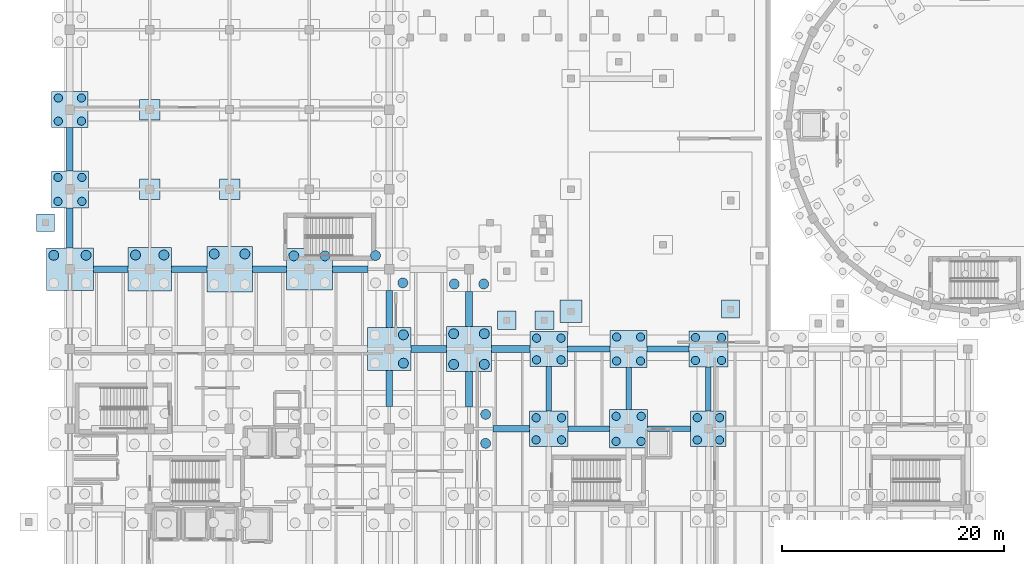
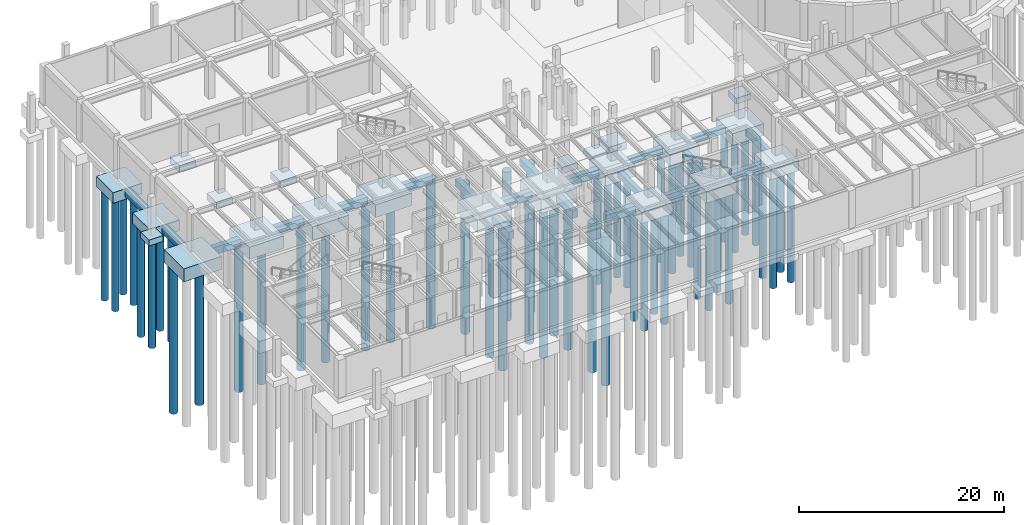
# One storey, part 3 of 26: 52 piles, 42 footings.
"""IFC4 building model written with IfcOpenShell, lengths in metres."""

from ifc_helpers import new_model, si_unit, direction, frame, origin, origin_2d, place, context, subcontext, project, spatial, rectangle, circle, extrude, material, material_profile, profile_set, type_object, element, save


model = new_model("IFC4")

# Units and contexts
model_context = context("Model", 3, precision=1e-05, world=origin(), true_north=direction((0.0, 1.0)))
body_context = subcontext(model_context, "Body", "Model", "MODEL_VIEW")
ifc_project = project(units=[si_unit("LENGTHUNIT", "METRE"), si_unit("AREAUNIT", "SQUARE_METRE"), si_unit("VOLUMEUNIT", "CUBIC_METRE"), si_unit("PLANEANGLEUNIT", "RADIAN"), si_unit("MASSUNIT", "GRAM", prefix="KILO")], contexts=[model_context])

# Site, building, storey
site_placement = place(None, origin())
site = spatial("IfcSite", under=ifc_project, at=site_placement, CompositionType="ELEMENT")
building_placement = place(site_placement, origin())
building = spatial("IfcBuilding", under=site, at=building_placement, Name="Kandorven Conservatory and Botanical Research Centre", CompositionType="ELEMENT")
storey_placement = place(building_placement, frame((0.0, 0.0, -4.800048828125)))
storey = spatial("IfcBuildingStorey", under=building, at=storey_placement, Name="B01", CompositionType="ELEMENT", Elevation=-4.800048828125)

# Footings
ifc_material_1 = material(Name="Concrete C32/40 (M40)", Category="concrete")
ifc_material_profile_1 = material_profile(ifc_material_1, rectangle(XDim=0.60009765625, YDim=0.89990234375, at=origin_2d()))
ifc_profile_set_1 = profile_set([ifc_material_profile_1], Name="Concrete C32/40 (M40)")
footing_type_1 = type_object("IfcFootingType", Name="GroundBeam_GB-01", PredefinedType="FOOTING_BEAM", material=ifc_profile_set_1)
footing_1_placement = place(storey_placement, frame((8.125, 34.800048828125, -0.949951171875), z_axis=(1.0, 0.0, 0.0), x_axis=(0.0, 1.0, 0.0)))
element("IfcFooting", 1, at=footing_1_placement, inside=storey, type_object=footing_type_1, Name="Ground tie beam GB-01 X-009", PredefinedType="FOOTING_BEAM", context=body_context, shape_type="SweptSolid", body=[
    extrude(rectangle(XDim=0.60009765625, YDim=0.89990234375, at=origin_2d()), origin(), (0.0, 0.0, 1.0), 3.125),
])
footing_2_placement = place(storey_placement, frame((6.0, 36.72509765625, -0.949951171875), z_axis=(0.0, 1.0, 0.0), x_axis=(-1.0, 0.0, 0.0)))
element("IfcFooting", 2, at=footing_2_placement, inside=storey, type_object=footing_type_1, Name="Ground tie beam GB-01 Y-010", PredefinedType="FOOTING_BEAM", context=body_context, shape_type="SweptSolid", body=[
    extrude(rectangle(XDim=0.60009765625, YDim=0.89990234375, at=origin_2d()), origin(), (0.0, 0.0, 1.0), 3.599853515625),
])
footing_3_placement = place(storey_placement, frame((6.0, 43.675048828125, -0.949951171875), z_axis=(0.0, 1.0, 0.0), x_axis=(-1.0, 0.0, 0.0)))
element("IfcFooting", 3, at=footing_3_placement, inside=storey, type_object=footing_type_1, Name="Ground tie beam GB-01 Y-011", PredefinedType="FOOTING_BEAM", context=body_context, shape_type="SweptSolid", body=[
    extrude(rectangle(XDim=0.60009765625, YDim=0.89990234375, at=origin_2d()), origin(), (0.0, 0.0, 1.0), 3.885009765625),
])
footing_4_placement = place(storey_placement, frame((15.14990234375, 34.800048828125, -0.949951171875), z_axis=(1.0, 0.0, 0.0), x_axis=(0.0, 1.0, 0.0)))
element("IfcFooting", 4, at=footing_4_placement, inside=storey, type_object=footing_type_1, Name="Ground tie beam GB-01 X-022", PredefinedType="FOOTING_BEAM", context=body_context, shape_type="SweptSolid", body=[
    extrude(rectangle(XDim=0.60009765625, YDim=0.89990234375, at=origin_2d()), origin(), (0.0, 0.0, 1.0), 3.2001953125),
])
footing_5_placement = place(storey_placement, frame((22.449951171875, 34.800048828125, -0.949951171875), z_axis=(1.0, 0.0, 0.0), x_axis=(0.0, 1.0, 0.0)))
element("IfcFooting", 5, at=footing_5_placement, inside=storey, type_object=footing_type_1, Name="Ground tie beam GB-01 X-031", PredefinedType="FOOTING_BEAM", context=body_context, shape_type="SweptSolid", body=[
    extrude(rectangle(XDim=0.60009765625, YDim=0.89990234375, at=origin_2d()), origin(), (0.0, 0.0, 1.0), 3.074951171875),
])
footing_6_placement = place(storey_placement, frame((29.675048828125, 34.800048828125, -0.949951171875), z_axis=(1.0, 0.0, 0.0), x_axis=(0.0, 1.0, 0.0)))
element("IfcFooting", 6, at=footing_6_placement, inside=storey, type_object=footing_type_1, Name="Ground tie beam GB-01 X-040", PredefinedType="FOOTING_BEAM", context=body_context, shape_type="SweptSolid", body=[
    extrude(rectangle(XDim=0.60009765625, YDim=0.89990234375, at=origin_2d()), origin(), (0.0, 0.0, 1.0), 3.224853515625),
])
footing_7_placement = place(storey_placement, frame((34.800048828125, 22.39990234375, -0.949951171875), z_axis=(0.0, 1.0, 0.0), x_axis=(-1.0, 0.0, 0.0)))
element("IfcFooting", 7, at=footing_7_placement, inside=storey, type_object=footing_type_1, Name="Ground tie beam GB-01 Y-046", PredefinedType="FOOTING_BEAM", context=body_context, shape_type="SweptSolid", body=[
    extrude(rectangle(XDim=0.60009765625, YDim=0.89990234375, at=origin_2d()), origin(), (0.0, 0.0, 1.0), 3.25),
])
footing_8_placement = place(storey_placement, frame((36.75, 27.60009765625, -0.949951171875), z_axis=(1.0, 0.0, 0.0), x_axis=(0.0, 1.0, 0.0)))
element("IfcFooting", 8, at=footing_8_placement, inside=storey, type_object=footing_type_1, Name="Ground tie beam GB-01 X-047", PredefinedType="FOOTING_BEAM", context=body_context, shape_type="SweptSolid", body=[
    extrude(rectangle(XDim=0.60009765625, YDim=0.89990234375, at=origin_2d()), origin(), (0.0, 0.0, 1.0), 3.199951171875),
])
footing_9_placement = place(storey_placement, frame((34.800048828125, 29.550048828125, -0.949951171875), z_axis=(0.0, 1.0, 0.0), x_axis=(-1.0, 0.0, 0.0)))
element("IfcFooting", 9, at=footing_9_placement, inside=storey, type_object=footing_type_1, Name="Ground tie beam GB-01 Y-048", PredefinedType="FOOTING_BEAM", context=body_context, shape_type="SweptSolid", body=[
    extrude(rectangle(XDim=0.60009765625, YDim=0.89990234375, at=origin_2d()), origin(), (0.0, 0.0, 1.0), 3.349853515625),
])
footing_10_placement = place(storey_placement, frame((44.175048828125, 20.39990234375, -0.949951171875), z_axis=(1.0, 0.0, 0.0), x_axis=(0.0, 1.0, 0.0)))
element("IfcFooting", 10, at=footing_10_placement, inside=storey, type_object=footing_type_1, Name="Ground tie beam GB-01 X-058", PredefinedType="FOOTING_BEAM", context=body_context, shape_type="SweptSolid", body=[
    extrude(rectangle(XDim=0.60009765625, YDim=0.89990234375, at=origin_2d()), origin(), (0.0, 0.0, 1.0), 3.284912109375),
])
footing_11_placement = place(storey_placement, frame((42.0, 22.375, -0.949951171875), z_axis=(0.0, 1.0, 0.0), x_axis=(-1.0, 0.0, 0.0)))
element("IfcFooting", 11, at=footing_11_placement, inside=storey, type_object=footing_type_1, Name="Ground tie beam GB-01 Y-059", PredefinedType="FOOTING_BEAM", context=body_context, shape_type="SweptSolid", body=[
    extrude(rectangle(XDim=0.60009765625, YDim=0.89990234375, at=origin_2d()), origin(), (0.0, 0.0, 1.0), 3.175048828125),
])
footing_12_placement = place(storey_placement, frame((44.050048828125, 27.60009765625, -0.949951171875), z_axis=(1.0, 0.0, 0.0), x_axis=(0.0, 1.0, 0.0)))
element("IfcFooting", 12, at=footing_12_placement, inside=storey, type_object=footing_type_1, Name="Ground tie beam GB-01 X-060", PredefinedType="FOOTING_BEAM", context=body_context, shape_type="SweptSolid", body=[
    extrude(rectangle(XDim=0.60009765625, YDim=0.89990234375, at=origin_2d()), origin(), (0.0, 0.0, 1.0), 3.449951171875),
])
footing_13_placement = place(storey_placement, frame((42.0, 29.64990234375, -0.949951171875), z_axis=(0.0, 1.0, 0.0), x_axis=(-1.0, 0.0, 0.0)))
element("IfcFooting", 13, at=footing_13_placement, inside=storey, type_object=footing_type_1, Name="Ground tie beam GB-01 Y-061", PredefinedType="FOOTING_BEAM", context=body_context, shape_type="SweptSolid", body=[
    extrude(rectangle(XDim=0.60009765625, YDim=0.89990234375, at=origin_2d()), origin(), (0.0, 0.0, 1.0), 3.150146484375),
])
ifc_material_2 = material(Name="Concrete C32/40 (M40)", Category="concrete")
ifc_material_profile_2 = material_profile(ifc_material_2, rectangle(XDim=0.5, YDim=0.75, at=origin_2d()))
ifc_profile_set_2 = profile_set([ifc_material_profile_2], Name="Concrete C32/40 (M40)")
footing_type_2 = type_object("IfcFootingType", Name="GroundBeam_GB-02", PredefinedType="FOOTING_BEAM", material=ifc_profile_set_2)
footing_14_placement = place(storey_placement, frame((50.93994140625, 20.39990234375, -0.875), z_axis=(1.0, 0.0, 0.0), x_axis=(0.0, 1.0, 0.0)))
element("IfcFooting", 14, at=footing_14_placement, inside=storey, type_object=footing_type_2, Name="Ground tie beam GB-02 X-066", PredefinedType="FOOTING_BEAM", context=body_context, shape_type="SweptSolid", body=[
    extrude(rectangle(XDim=0.5, YDim=0.75, at=origin_2d()), origin(), (0.0, 0.0, 1.0), 3.735107421875),
])
footing_15_placement = place(storey_placement, frame((49.199951171875, 21.989990234375, -0.875), z_axis=(0.0, 1.0, 0.0), x_axis=(-1.0, 0.0, 0.0)))
element("IfcFooting", 15, at=footing_15_placement, inside=storey, type_object=footing_type_2, Name="Ground tie beam GB-02 Y-067", PredefinedType="FOOTING_BEAM", context=body_context, shape_type="SweptSolid", body=[
    extrude(rectangle(XDim=0.5, YDim=0.75, at=origin_2d()), origin(), (0.0, 0.0, 1.0), 4.034912109375),
])
footing_16_placement = place(storey_placement, frame((50.89990234375, 27.60009765625, -0.875), z_axis=(1.0, 0.0, 0.0), x_axis=(0.0, 1.0, 0.0)))
element("IfcFooting", 16, at=footing_16_placement, inside=storey, type_object=footing_type_2, Name="Ground tie beam GB-02 X-068", PredefinedType="FOOTING_BEAM", context=body_context, shape_type="SweptSolid", body=[
    extrude(rectangle(XDim=0.5, YDim=0.75, at=origin_2d()), origin(), (0.0, 0.0, 1.0), 3.8251953125),
])
footing_17_placement = place(storey_placement, frame((58.125, 20.39990234375, -0.875), z_axis=(1.0, 0.0, 0.0), x_axis=(0.0, 1.0, 0.0)))
element("IfcFooting", 17, at=footing_17_placement, inside=storey, type_object=footing_type_2, Name="Ground tie beam GB-02 X-074", PredefinedType="FOOTING_BEAM", context=body_context, shape_type="SweptSolid", body=[
    extrude(rectangle(XDim=0.5, YDim=0.75, at=origin_2d()), origin(), (0.0, 0.0, 1.0), 3.875),
])
footing_18_placement = place(storey_placement, frame((56.39990234375, 22.125, -0.875), z_axis=(0.0, 1.0, 0.0), x_axis=(-1.0, 0.0, 0.0)))
element("IfcFooting", 18, at=footing_18_placement, inside=storey, type_object=footing_type_2, Name="Ground tie beam GB-02 Y-075", PredefinedType="FOOTING_BEAM", context=body_context, shape_type="SweptSolid", body=[
    extrude(rectangle(XDim=0.5, YDim=0.75, at=origin_2d()), origin(), (0.0, 0.0, 1.0), 3.800048828125),
])
footing_19_placement = place(storey_placement, frame((58.074951171875, 27.60009765625, -0.875), z_axis=(1.0, 0.0, 0.0), x_axis=(0.0, 1.0, 0.0)))
element("IfcFooting", 19, at=footing_19_placement, inside=storey, type_object=footing_type_2, Name="Ground tie beam GB-02 X-076", PredefinedType="FOOTING_BEAM", context=body_context, shape_type="SweptSolid", body=[
    extrude(rectangle(XDim=0.5, YDim=0.75, at=origin_2d()), origin(), (0.0, 0.0, 1.0), 3.75),
])
footing_20_placement = place(storey_placement, frame((63.60009765625, 22.0, -0.875), z_axis=(0.0, 1.0, 0.0), x_axis=(-1.0, 0.0, 0.0)))
element("IfcFooting", 20, at=footing_20_placement, inside=storey, type_object=footing_type_2, Name="Ground tie beam GB-02 Y-082", PredefinedType="FOOTING_BEAM", context=body_context, shape_type="SweptSolid", body=[
    extrude(rectangle(XDim=0.5, YDim=0.75, at=origin_2d()), origin(), (0.0, 0.0, 1.0), 3.97509765625),
])
ifc_material_3 = material(Name="Concrete C32/40 (M40)", Category="concrete")
footing_type_3 = type_object("IfcFootingType", Name="PadFooting_PF-01", PredefinedType="PAD_FOOTING", material=ifc_material_3)
footing_21_placement = place(storey_placement, frame((51.199951171875, 31.0, -1.35009765625), z_axis=(0.0, 0.0, 1.0), x_axis=(1.0, 0.0, 0.0)))
element("IfcFooting", 21, at=footing_21_placement, inside=storey, type_object=footing_type_3, Name="Pad footing PF-01 at CP-1", PredefinedType="PAD_FOOTING", context=body_context, shape_type="SweptSolid", body=[
    extrude(rectangle(XDim=2.0, YDim=2.0, at=origin_2d()), origin(), (0.0, 0.0, 1.0), 0.85009765625),
])
ifc_material_4 = material(Name="Concrete C32/40 (M40)", Category="concrete")
footing_type_4 = type_object("IfcFootingType", Name="PadFooting_PF-02", PredefinedType="PAD_FOOTING", material=ifc_material_4)
for number, where, z_axis, x_axis, name in (
    (22, (13.199951171875, 42.0, -1.2998046875), (0.0, 0.0, 1.0), (1.0, 0.0, 0.0), "Pad footing PF-02 at AINT-1-1"),
    (23, (13.199951171875, 49.199951171875, -1.2998046875), (0.0, 0.0, 1.0), (1.0, 0.0, 0.0), "Pad footing PF-02 at AINT-1-2"),
    (24, (20.39990234375, 42.0, -1.2998046875), (0.0, 0.0, 1.0), (1.0, 0.0, 0.0), "Pad footing PF-02 at AINT-2-1"),
):
    element("IfcFooting", number, at=place(storey_placement, frame(where, z_axis=z_axis, x_axis=x_axis)), inside=storey, type_object=footing_type_4, Name=name, PredefinedType="PAD_FOOTING", context=body_context, shape_type="SweptSolid", body=[
        extrude(rectangle(XDim=1.85009765625, YDim=1.85009765625, at=origin_2d()), origin(), (0.0, 0.0, 1.0), 0.800048828125),
    ])
ifc_material_5 = material(Name="Concrete C32/40 (M40)", Category="concrete")
footing_type_5 = type_object("IfcFootingType", Name="PadFooting_PF-03", PredefinedType="PAD_FOOTING", material=ifc_material_5)
for number, where, z_axis, x_axis, name in (
    (25, (45.39990234375, 30.199951171875, -1.25), (0.0, 0.0, 1.0), (1.0, 0.0, 0.0), "Pad footing PF-03 at CPLZ-1"),
    (26, (48.800048828125, 30.199951171875, -1.25), (0.0, 0.0, 1.0), (1.0, 0.0, 0.0), "Pad footing PF-03 at CPLZ-2"),
):
    element("IfcFooting", number, at=place(storey_placement, frame(where, z_axis=z_axis, x_axis=x_axis)), inside=storey, type_object=footing_type_5, Name=name, PredefinedType="PAD_FOOTING", context=body_context, shape_type="SweptSolid", body=[
        extrude(rectangle(XDim=1.699951171875, YDim=1.699951171875, at=origin_2d()), origin(), (0.0, 0.0, 1.0), 0.75),
    ])
ifc_material_6 = material(Name="Concrete C32/40 (M40)", Category="concrete")
footing_type_6 = type_object("IfcFootingType", Name="PadFooting_PF-04", PredefinedType="PAD_FOOTING", material=ifc_material_6)
for number, where, z_axis, x_axis, name in (
    (27, (3.800048828125, 39.0, -0.69970703125), (0.0, 0.0, 1.0), (1.0, 0.0, 0.0), "Grade apron pad footing SLAB-EXT-WEST-APRON-2"),
    (28, (65.60009765625, 31.199951171875, -0.69970703125), (0.0, 0.0, 1.0), (1.0, 0.0, 0.0), "Grade apron pad footing SLAB-EXT-EAST-COURT-1"),
):
    element("IfcFooting", number, at=place(storey_placement, frame(where, z_axis=z_axis, x_axis=x_axis)), inside=storey, type_object=footing_type_6, Name=name, PredefinedType="PAD_FOOTING", context=body_context, shape_type="SweptSolid", body=[
        extrude(rectangle(XDim=1.60009765625, YDim=1.60009765625, at=origin_2d()), origin(), (0.0, 0.0, 1.0), 0.699951171875),
    ])
ifc_material_7 = material(Name="Concrete C32/40 (M40)", Category="concrete")
footing_type_7 = type_object("IfcFootingType", Name="PileCap_PC-01", PredefinedType="PILE_CAP", material=ifc_material_7)
for number, where, z_axis, x_axis, name in (
    (29, (20.39990234375, 34.800048828125, -2.10009765625), (0.0, 0.0, 1.0), (1.0, 0.0, 0.0), "Pile cap PC-01 at T-3-5"),
    (30, (42.0, 27.60009765625, -2.10009765625), (0.0, 0.0, 1.0), (1.0, 0.0, 0.0), "Pile cap PC-01 at T-6-4"),
):
    element("IfcFooting", number, at=place(storey_placement, frame(where, z_axis=z_axis, x_axis=x_axis)), inside=storey, type_object=footing_type_7, Name=name, PredefinedType="PILE_CAP", context=body_context, shape_type="SweptSolid", body=[
        extrude(rectangle(XDim=4.10009765625, YDim=4.10009765625, at=origin_2d()), origin(), (0.0, 0.0, 1.0), 1.60009765625),
    ])
ifc_material_8 = material(Name="Concrete C32/40 (M40)", Category="concrete")
footing_type_8 = type_object("IfcFootingType", Name="PileCap_PC-03", PredefinedType="PILE_CAP", material=ifc_material_8)
for number, where, z_axis, x_axis, name in (
    (31, (13.199951171875, 34.800048828125, -1.94970703125), (0.0, 0.0, 1.0), (1.0, 0.0, 0.0), "Pile cap PC-03 at T-2-5"),
    (32, (34.800048828125, 27.60009765625, -1.94970703125), (0.0, 0.0, 1.0), (1.0, 0.0, 0.0), "Pile cap PC-03 at T-5-4"),
):
    element("IfcFooting", number, at=place(storey_placement, frame(where, z_axis=z_axis, x_axis=x_axis)), inside=storey, type_object=footing_type_8, Name=name, PredefinedType="PILE_CAP", context=body_context, shape_type="SweptSolid", body=[
        extrude(rectangle(XDim=3.89990234375, YDim=3.89990234375, at=origin_2d()), origin(), (0.0, 0.0, 1.0), 1.449951171875),
    ])
ifc_material_9 = material(Name="Concrete C32/40 (M40)", Category="concrete")
footing_type_9 = type_object("IfcFootingType", Name="PileCap_PC-05", PredefinedType="PILE_CAP", material=ifc_material_9)
footing_22_placement = place(storey_placement, frame((56.39990234375, 20.39990234375, -1.85009765625), z_axis=(0.0, 0.0, 1.0), x_axis=(1.0, 0.0, 0.0)))
element("IfcFooting", 33, at=footing_22_placement, inside=storey, type_object=footing_type_9, Name="Pile cap PC-05 at V-3-3", PredefinedType="PILE_CAP", context=body_context, shape_type="SweptSolid", body=[
    extrude(rectangle(XDim=3.449951171875, YDim=3.449951171875, at=origin_2d()), origin(), (0.0, 0.0, 1.0), 1.35009765625),
])
ifc_material_10 = material(Name="Concrete C32/40 (M40)", Category="concrete")
footing_type_10 = type_object("IfcFootingType", Name="PileCap_PC-06", PredefinedType="PILE_CAP", material=ifc_material_10)
for number, where, z_axis, x_axis, name in (
    (34, (6.0, 42.0, -1.7998046875), (0.0, 0.0, 1.0), (1.0, 0.0, 0.0), "Pile cap PC-06 at A-1-2"),
    (35, (56.39990234375, 27.60009765625, -1.7998046875), (0.0, 0.0, 1.0), (1.0, 0.0, 0.0), "Pile cap PC-06 at V-3-4"),
):
    element("IfcFooting", number, at=place(storey_placement, frame(where, z_axis=z_axis, x_axis=x_axis)), inside=storey, type_object=footing_type_10, Name=name, PredefinedType="PILE_CAP", context=body_context, shape_type="SweptSolid", body=[
        extrude(rectangle(XDim=3.35009765625, YDim=3.35009765625, at=origin_2d()), origin(), (0.0, 0.0, 1.0), 1.300048828125),
    ])
ifc_material_11 = material(Name="Concrete C32/40 (M40)", Category="concrete")
footing_type_11 = type_object("IfcFootingType", Name="PileCap_PC-07", PredefinedType="PILE_CAP", material=ifc_material_11)
footing_23_placement = place(storey_placement, frame((6.0, 49.199951171875, -1.75), z_axis=(0.0, 0.0, 1.0), x_axis=(1.0, 0.0, 0.0)))
element("IfcFooting", 36, at=footing_23_placement, inside=storey, type_object=footing_type_11, Name="Pile cap PC-07 at A-1-3", PredefinedType="PILE_CAP", context=body_context, shape_type="SweptSolid", body=[
    extrude(rectangle(XDim=3.280029296875, YDim=3.280029296875, at=origin_2d()), origin(), (0.0, 0.0, 1.0), 1.25),
])
ifc_material_12 = material(Name="Concrete C32/40 (M40)", Category="concrete")
footing_type_12 = type_object("IfcFootingType", Name="PileCap_PC-08", PredefinedType="PILE_CAP", material=ifc_material_12)
footing_24_placement = place(storey_placement, frame((63.60009765625, 20.39990234375, -1.69970703125), z_axis=(0.0, 0.0, 1.0), x_axis=(1.0, 0.0, 0.0)))
element("IfcFooting", 37, at=footing_24_placement, inside=storey, type_object=footing_type_12, Name="Pile cap PC-08 at V-4-3", PredefinedType="PILE_CAP", context=body_context, shape_type="SweptSolid", body=[
    extrude(rectangle(XDim=3.199951171875, YDim=3.199951171875, at=origin_2d()), origin(), (0.0, 0.0, 1.0), 1.199951171875),
])
ifc_material_13 = material(Name="Concrete C32/40 (M40)", Category="concrete")
footing_type_13 = type_object("IfcFootingType", Name="PileCap_PC-12", PredefinedType="PILE_CAP", material=ifc_material_13)
footing_25_placement = place(storey_placement, frame((6.0, 34.800048828125, -2.0498046875), z_axis=(0.0, 0.0, 1.0), x_axis=(1.0, 0.0, 0.0)))
element("IfcFooting", 38, at=footing_25_placement, inside=storey, type_object=footing_type_13, Name="Pile cap PC-12 at T-1-5", PredefinedType="PILE_CAP", context=body_context, shape_type="SweptSolid", body=[
    extrude(rectangle(XDim=4.25, YDim=3.85009765625, at=origin_2d()), origin(), (0.0, 0.0, 1.0), 1.550048828125),
])
ifc_material_14 = material(Name="Concrete C32/40 (M40)", Category="concrete")
footing_type_14 = type_object("IfcFootingType", Name="PileCap_PC-13", PredefinedType="PILE_CAP", material=ifc_material_14)
footing_26_placement = place(storey_placement, frame((27.60009765625, 34.800048828125, -2.0), z_axis=(0.0, 0.0, 1.0), x_axis=(1.0, 0.0, 0.0)))
element("IfcFooting", 39, at=footing_26_placement, inside=storey, type_object=footing_type_14, Name="Pile cap PC-13 at T-4-5", PredefinedType="PILE_CAP", context=body_context, shape_type="SweptSolid", body=[
    extrude(rectangle(XDim=4.14990234375, YDim=3.75, at=origin_2d()), origin(), (0.0, 0.0, 1.0), 1.5),
])
ifc_material_15 = material(Name="Concrete C32/40 (M40)", Category="concrete")
footing_type_15 = type_object("IfcFootingType", Name="PileCap_PC-14", PredefinedType="PILE_CAP", material=ifc_material_15)
footing_27_placement = place(storey_placement, frame((63.60009765625, 27.60009765625, -1.89990234375), z_axis=(0.0, 0.0, 1.0), x_axis=(1.0, 0.0, 0.0)))
element("IfcFooting", 40, at=footing_27_placement, inside=storey, type_object=footing_type_15, Name="Pile cap PC-14 at V-4-4", PredefinedType="PILE_CAP", context=body_context, shape_type="SweptSolid", body=[
    extrude(rectangle(XDim=3.550048828125, YDim=3.25, at=origin_2d()), origin(), (0.0, 0.0, 1.0), 1.39990234375),
])
ifc_material_16 = material(Name="Concrete C32/40 (M40)", Category="concrete")
footing_type_16 = type_object("IfcFootingType", Name="PileCap_PC-15", PredefinedType="PILE_CAP", material=ifc_material_16)
footing_28_placement = place(storey_placement, frame((49.199951171875, 20.39990234375, -1.85009765625), z_axis=(0.0, 0.0, 1.0), x_axis=(1.0, 0.0, 0.0)))
element("IfcFooting", 41, at=footing_28_placement, inside=storey, type_object=footing_type_16, Name="Pile cap PC-15 at V-2-3", PredefinedType="PILE_CAP", context=body_context, shape_type="SweptSolid", body=[
    extrude(rectangle(XDim=3.47998046875, YDim=3.179931640625, at=origin_2d()), origin(), (0.0, 0.0, 1.0), 1.35009765625),
])
ifc_material_17 = material(Name="Concrete C32/40 (M40)", Category="concrete")
footing_type_17 = type_object("IfcFootingType", Name="PileCap_PC-16", PredefinedType="PILE_CAP", material=ifc_material_17)
footing_29_placement = place(storey_placement, frame((49.199951171875, 27.60009765625, -1.75), z_axis=(0.0, 0.0, 1.0), x_axis=(1.0, 0.0, 0.0)))
element("IfcFooting", 42, at=footing_29_placement, inside=storey, type_object=footing_type_17, Name="Pile cap PC-16 at V-2-4", PredefinedType="PILE_CAP", context=body_context, shape_type="SweptSolid", body=[
    extrude(rectangle(XDim=3.39990234375, YDim=3.14990234375, at=origin_2d()), origin(), (0.0, 0.0, 1.0), 1.25),
])

# Piles
ifc_material_18 = material(Name="Concrete C32/40 (M40)", Category="concrete")
ifc_material_profile_3 = material_profile(ifc_material_18, circle(Radius=0.375, at=origin_2d()))
ifc_profile_set_3 = profile_set([ifc_material_profile_3], Name="Concrete C32/40 (M40)")
pile_type_1 = type_object("IfcPileType", Name="Pile_PILE_D750", PredefinedType="BORED", material=ifc_profile_set_3)
for number, where, z_axis, x_axis, name in (
    (43, (4.919921875, 40.919921875, -1.699951171875), (0.0, 0.0, -1.0), (1.0, 0.0, 0.0), "Bored pile A-1-2-1"),
    (44, (4.919921875, 43.080078125, -1.699951171875), (0.0, 0.0, -1.0), (1.0, 0.0, 0.0), "Bored pile A-1-2-2"),
    (45, (7.080078125, 40.919921875, -1.699951171875), (0.0, 0.0, -1.0), (1.0, 0.0, 0.0), "Bored pile A-1-2-3"),
    (46, (7.080078125, 43.080078125, -1.699951171875), (0.0, 0.0, -1.0), (1.0, 0.0, 0.0), "Bored pile A-1-2-4"),
):
    element("IfcPile", number, at=place(storey_placement, frame(where, z_axis=z_axis, x_axis=x_axis)), inside=storey, type_object=pile_type_1, Name=name, PredefinedType="BORED", context=body_context, shape_type="SweptSolid", body=[
        extrude(circle(Radius=0.375, at=origin_2d()), origin(), (0.0, 0.0, 1.0), 13.300048828125),
    ])
for number, where, z_axis, x_axis, name in (
    (47, (4.955078125, 48.155029296875, -1.64990234375), (0.0, 0.0, -1.0), (1.0, 0.0, 0.0), "Bored pile A-1-3-1"),
    (48, (4.955078125, 50.2451171875, -1.64990234375), (0.0, 0.0, -1.0), (1.0, 0.0, 0.0), "Bored pile A-1-3-2"),
    (49, (7.044921875, 48.155029296875, -1.64990234375), (0.0, 0.0, -1.0), (1.0, 0.0, 0.0), "Bored pile A-1-3-3"),
    (50, (7.044921875, 50.2451171875, -1.64990234375), (0.0, 0.0, -1.0), (1.0, 0.0, 0.0), "Bored pile A-1-3-4"),
):
    element("IfcPile", number, at=place(storey_placement, frame(where, z_axis=z_axis, x_axis=x_axis)), inside=storey, type_object=pile_type_1, Name=name, PredefinedType="BORED", context=body_context, shape_type="SweptSolid", body=[
        extrude(circle(Radius=0.375, at=origin_2d()), origin(), (0.0, 0.0, 1.0), 13.35009765625),
    ])
for number, where, z_axis, x_axis, name in (
    (51, (48.054931640625, 19.405029296875, -1.75), (0.0, 0.0, -1.0), (1.0, 0.0, 0.0), "Bored pile V-2-3-1"),
    (52, (48.054931640625, 21.39501953125, -1.75), (0.0, 0.0, -1.0), (1.0, 0.0, 0.0), "Bored pile V-2-3-2"),
    (53, (50.344970703125, 19.405029296875, -1.75), (0.0, 0.0, -1.0), (1.0, 0.0, 0.0), "Bored pile V-2-3-3"),
    (54, (50.344970703125, 21.39501953125, -1.75), (0.0, 0.0, -1.0), (1.0, 0.0, 0.0), "Bored pile V-2-3-4"),
):
    element("IfcPile", number, at=place(storey_placement, frame(where, z_axis=z_axis, x_axis=x_axis)), inside=storey, type_object=pile_type_1, Name=name, PredefinedType="BORED", context=body_context, shape_type="SweptSolid", body=[
        extrude(circle(Radius=0.375, at=origin_2d()), origin(), (0.0, 0.0, 1.0), 13.25),
    ])
for number, where, z_axis, x_axis, name in (
    (55, (48.094970703125, 26.6201171875, -1.64990234375), (0.0, 0.0, -1.0), (1.0, 0.0, 0.0), "Bored pile V-2-4-1"),
    (56, (48.094970703125, 28.580078125, -1.64990234375), (0.0, 0.0, -1.0), (1.0, 0.0, 0.0), "Bored pile V-2-4-2"),
    (57, (50.304931640625, 26.6201171875, -1.64990234375), (0.0, 0.0, -1.0), (1.0, 0.0, 0.0), "Bored pile V-2-4-3"),
    (58, (50.304931640625, 28.580078125, -1.64990234375), (0.0, 0.0, -1.0), (1.0, 0.0, 0.0), "Bored pile V-2-4-4"),
):
    element("IfcPile", number, at=place(storey_placement, frame(where, z_axis=z_axis, x_axis=x_axis)), inside=storey, type_object=pile_type_1, Name=name, PredefinedType="BORED", context=body_context, shape_type="SweptSolid", body=[
        extrude(circle(Radius=0.375, at=origin_2d()), origin(), (0.0, 0.0, 1.0), 13.35009765625),
    ])
for number, where, z_axis, x_axis, name in (
    (59, (55.27001953125, 19.27001953125, -1.75), (0.0, 0.0, -1.0), (1.0, 0.0, 0.0), "Bored pile V-3-3-1"),
    (60, (55.27001953125, 21.530029296875, -1.75), (0.0, 0.0, -1.0), (1.0, 0.0, 0.0), "Bored pile V-3-3-2"),
    (61, (57.530029296875, 19.27001953125, -1.75), (0.0, 0.0, -1.0), (1.0, 0.0, 0.0), "Bored pile V-3-3-3"),
    (62, (57.530029296875, 21.530029296875, -1.75), (0.0, 0.0, -1.0), (1.0, 0.0, 0.0), "Bored pile V-3-3-4"),
):
    element("IfcPile", number, at=place(storey_placement, frame(where, z_axis=z_axis, x_axis=x_axis)), inside=storey, type_object=pile_type_1, Name=name, PredefinedType="BORED", context=body_context, shape_type="SweptSolid", body=[
        extrude(circle(Radius=0.375, at=origin_2d()), origin(), (0.0, 0.0, 1.0), 13.25),
    ])
for number, where, z_axis, x_axis, name in (
    (63, (55.320068359375, 26.52001953125, -1.699951171875), (0.0, 0.0, -1.0), (1.0, 0.0, 0.0), "Bored pile V-3-4-1"),
    (64, (55.320068359375, 28.679931640625, -1.699951171875), (0.0, 0.0, -1.0), (1.0, 0.0, 0.0), "Bored pile V-3-4-2"),
    (65, (57.47998046875, 26.52001953125, -1.699951171875), (0.0, 0.0, -1.0), (1.0, 0.0, 0.0), "Bored pile V-3-4-3"),
    (66, (57.47998046875, 28.679931640625, -1.699951171875), (0.0, 0.0, -1.0), (1.0, 0.0, 0.0), "Bored pile V-3-4-4"),
):
    element("IfcPile", number, at=place(storey_placement, frame(where, z_axis=z_axis, x_axis=x_axis)), inside=storey, type_object=pile_type_1, Name=name, PredefinedType="BORED", context=body_context, shape_type="SweptSolid", body=[
        extrude(circle(Radius=0.375, at=origin_2d()), origin(), (0.0, 0.0, 1.0), 13.300048828125),
    ])
for number, where, z_axis, x_axis, name in (
    (67, (62.594970703125, 19.39501953125, -1.599853515625), (0.0, 0.0, -1.0), (1.0, 0.0, 0.0), "Bored pile V-4-3-1"),
    (68, (62.594970703125, 21.405029296875, -1.599853515625), (0.0, 0.0, -1.0), (1.0, 0.0, 0.0), "Bored pile V-4-3-2"),
    (69, (64.60498046875, 19.39501953125, -1.599853515625), (0.0, 0.0, -1.0), (1.0, 0.0, 0.0), "Bored pile V-4-3-3"),
    (70, (64.60498046875, 21.405029296875, -1.599853515625), (0.0, 0.0, -1.0), (1.0, 0.0, 0.0), "Bored pile V-4-3-4"),
):
    element("IfcPile", number, at=place(storey_placement, frame(where, z_axis=z_axis, x_axis=x_axis)), inside=storey, type_object=pile_type_1, Name=name, PredefinedType="BORED", context=body_context, shape_type="SweptSolid", body=[
        extrude(circle(Radius=0.375, at=origin_2d()), origin(), (0.0, 0.0, 1.0), 13.39990234375),
    ])
for number, where, z_axis, x_axis, name in (
    (71, (62.419921875, 26.570068359375, -1.800048828125), (0.0, 0.0, -1.0), (1.0, 0.0, 0.0), "Bored pile V-4-4-1"),
    (72, (62.419921875, 28.6298828125, -1.800048828125), (0.0, 0.0, -1.0), (1.0, 0.0, 0.0), "Bored pile V-4-4-2"),
    (73, (64.780029296875, 26.570068359375, -1.800048828125), (0.0, 0.0, -1.0), (1.0, 0.0, 0.0), "Bored pile V-4-4-3"),
    (74, (64.780029296875, 28.6298828125, -1.800048828125), (0.0, 0.0, -1.0), (1.0, 0.0, 0.0), "Bored pile V-4-4-4"),
):
    element("IfcPile", number, at=place(storey_placement, frame(where, z_axis=z_axis, x_axis=x_axis)), inside=storey, type_object=pile_type_1, Name=name, PredefinedType="BORED", context=body_context, shape_type="SweptSolid", body=[
        extrude(circle(Radius=0.375, at=origin_2d()), origin(), (0.0, 0.0, 1.0), 13.199951171875),
    ])
ifc_material_19 = material(Name="Concrete C32/40 (M40)", Category="concrete")
ifc_material_profile_4 = material_profile(ifc_material_19, circle(Radius=0.449951171875, at=origin_2d()))
ifc_profile_set_4 = profile_set([ifc_material_profile_4], Name="Concrete C32/40 (M40)")
pile_type_2 = type_object("IfcPileType", Name="Pile_PILE_D900", PredefinedType="BORED", material=ifc_profile_set_4)
for number, where, z_axis, x_axis, name in (
    (75, (4.544921875, 36.054931640625, -1.949951171875), (0.0, 0.0, -1.0), (1.0, 0.0, 0.0), "Bored pile T-1-5-2"),
    (76, (7.455078125, 36.054931640625, -1.949951171875), (0.0, 0.0, -1.0), (1.0, 0.0, 0.0), "Bored pile T-1-5-4"),
):
    element("IfcPile", number, at=place(storey_placement, frame(where, z_axis=z_axis, x_axis=x_axis)), inside=storey, type_object=pile_type_2, Name=name, PredefinedType="BORED", context=body_context, shape_type="SweptSolid", body=[
        extrude(circle(Radius=0.449951171875, at=origin_2d()), origin(), (0.0, 0.0, 1.0), 17.75),
    ])
for number, where, z_axis, x_axis, name in (
    (77, (11.919921875, 36.080078125, -1.849853515625), (0.0, 0.0, -1.0), (1.0, 0.0, 0.0), "Bored pile T-2-5-2"),
    (78, (14.47998046875, 36.080078125, -1.849853515625), (0.0, 0.0, -1.0), (1.0, 0.0, 0.0), "Bored pile T-2-5-4"),
):
    element("IfcPile", number, at=place(storey_placement, frame(where, z_axis=z_axis, x_axis=x_axis)), inside=storey, type_object=pile_type_2, Name=name, PredefinedType="BORED", context=body_context, shape_type="SweptSolid", body=[
        extrude(circle(Radius=0.449951171875, at=origin_2d()), origin(), (0.0, 0.0, 1.0), 17.85009765625),
    ])
for number, where, z_axis, x_axis, name in (
    (79, (19.02001953125, 36.179931640625, -2.0), (0.0, 0.0, -1.0), (1.0, 0.0, 0.0), "Bored pile T-3-5-2"),
    (80, (21.780029296875, 36.179931640625, -2.0), (0.0, 0.0, -1.0), (1.0, 0.0, 0.0), "Bored pile T-3-5-4"),
):
    element("IfcPile", number, at=place(storey_placement, frame(where, z_axis=z_axis, x_axis=x_axis)), inside=storey, type_object=pile_type_2, Name=name, PredefinedType="BORED", context=body_context, shape_type="SweptSolid", body=[
        extrude(circle(Radius=0.449951171875, at=origin_2d()), origin(), (0.0, 0.0, 1.0), 17.699951171875),
    ])
for number, where, z_axis, x_axis, name in (
    (81, (26.195068359375, 36.0048828125, -1.89990234375), (0.0, 0.0, -1.0), (1.0, 0.0, 0.0), "Bored pile T-4-5-2"),
    (82, (29.0048828125, 36.0048828125, -1.89990234375), (0.0, 0.0, -1.0), (1.0, 0.0, 0.0), "Bored pile T-4-5-4"),
):
    element("IfcPile", number, at=place(storey_placement, frame(where, z_axis=z_axis, x_axis=x_axis)), inside=storey, type_object=pile_type_2, Name=name, PredefinedType="BORED", context=body_context, shape_type="SweptSolid", body=[
        extrude(circle(Radius=0.449951171875, at=origin_2d()), origin(), (0.0, 0.0, 1.0), 17.800048828125),
    ])
for number, where, z_axis, x_axis, name in (
    (83, (36.080078125, 26.320068359375, -1.849853515625), (0.0, 0.0, -1.0), (1.0, 0.0, 0.0), "Bored pile T-5-4-3"),
    (84, (36.080078125, 28.8798828125, -1.849853515625), (0.0, 0.0, -1.0), (1.0, 0.0, 0.0), "Bored pile T-5-4-4"),
):
    element("IfcPile", number, at=place(storey_placement, frame(where, z_axis=z_axis, x_axis=x_axis)), inside=storey, type_object=pile_type_2, Name=name, PredefinedType="BORED", context=body_context, shape_type="SweptSolid", body=[
        extrude(circle(Radius=0.449951171875, at=origin_2d()), origin(), (0.0, 0.0, 1.0), 17.85009765625),
    ])
for number, where, z_axis, x_axis, name in (
    (85, (33.570068359375, 36.030029296875, -1.800048828125), (0.0, 0.0, -1.0), (1.0, 0.0, 0.0), "Bored pile T-5-5-2"),
    (86, (36.030029296875, 33.570068359375, -1.800048828125), (0.0, 0.0, -1.0), (1.0, 0.0, 0.0), "Bored pile T-5-5-3"),
):
    element("IfcPile", number, at=place(storey_placement, frame(where, z_axis=z_axis, x_axis=x_axis)), inside=storey, type_object=pile_type_2, Name=name, PredefinedType="BORED", context=body_context, shape_type="SweptSolid", body=[
        extrude(circle(Radius=0.449951171875, at=origin_2d()), origin(), (0.0, 0.0, 1.0), 17.89990234375),
    ])
for number, where, z_axis, x_axis, name in (
    (87, (43.5048828125, 19.094970703125, -1.919921875), (0.0, 0.0, -1.0), (1.0, 0.0, 0.0), "Bored pile T-6-3-3"),
    (88, (43.5048828125, 21.705078125, -1.919921875), (0.0, 0.0, -1.0), (1.0, 0.0, 0.0), "Bored pile T-6-3-4"),
):
    element("IfcPile", number, at=place(storey_placement, frame(where, z_axis=z_axis, x_axis=x_axis)), inside=storey, type_object=pile_type_2, Name=name, PredefinedType="BORED", context=body_context, shape_type="SweptSolid", body=[
        extrude(circle(Radius=0.449951171875, at=origin_2d()), origin(), (0.0, 0.0, 1.0), 17.780029296875),
    ])
for number, where, z_axis, x_axis, name in (
    (89, (40.6201171875, 26.219970703125, -2.0), (0.0, 0.0, -1.0), (1.0, 0.0, 0.0), "Bored pile T-6-4-1"),
    (90, (40.6201171875, 28.97998046875, -2.0), (0.0, 0.0, -1.0), (1.0, 0.0, 0.0), "Bored pile T-6-4-2"),
    (91, (43.3798828125, 26.219970703125, -2.0), (0.0, 0.0, -1.0), (1.0, 0.0, 0.0), "Bored pile T-6-4-3"),
    (92, (43.3798828125, 28.97998046875, -2.0), (0.0, 0.0, -1.0), (1.0, 0.0, 0.0), "Bored pile T-6-4-4"),
):
    element("IfcPile", number, at=place(storey_placement, frame(where, z_axis=z_axis, x_axis=x_axis)), inside=storey, type_object=pile_type_2, Name=name, PredefinedType="BORED", context=body_context, shape_type="SweptSolid", body=[
        extrude(circle(Radius=0.449951171875, at=origin_2d()), origin(), (0.0, 0.0, 1.0), 17.699951171875),
    ])
for number, where, z_axis, x_axis, name in (
    (93, (40.669921875, 33.469970703125, -1.89990234375), (0.0, 0.0, -1.0), (1.0, 0.0, 0.0), "Bored pile T-6-5-1"),
    (94, (43.330078125, 33.469970703125, -1.89990234375), (0.0, 0.0, -1.0), (1.0, 0.0, 0.0), "Bored pile T-6-5-3"),
):
    element("IfcPile", number, at=place(storey_placement, frame(where, z_axis=z_axis, x_axis=x_axis)), inside=storey, type_object=pile_type_2, Name=name, PredefinedType="BORED", context=body_context, shape_type="SweptSolid", body=[
        extrude(circle(Radius=0.449951171875, at=origin_2d()), origin(), (0.0, 0.0, 1.0), 17.800048828125),
    ])

save(model, "model.ifc")
